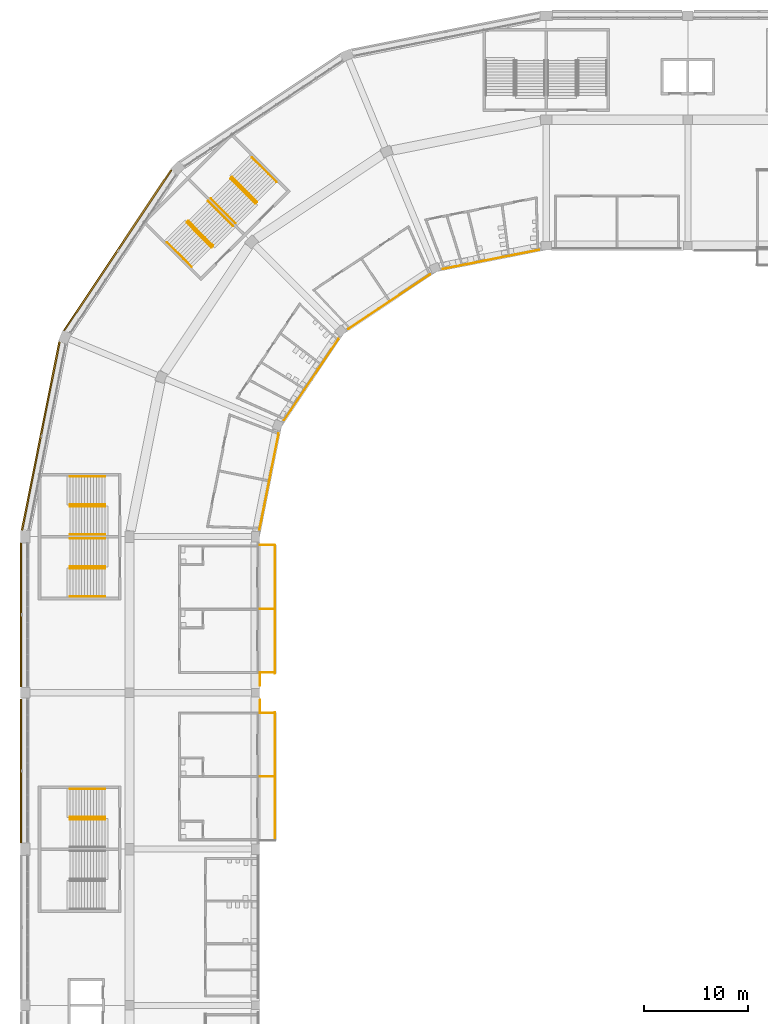
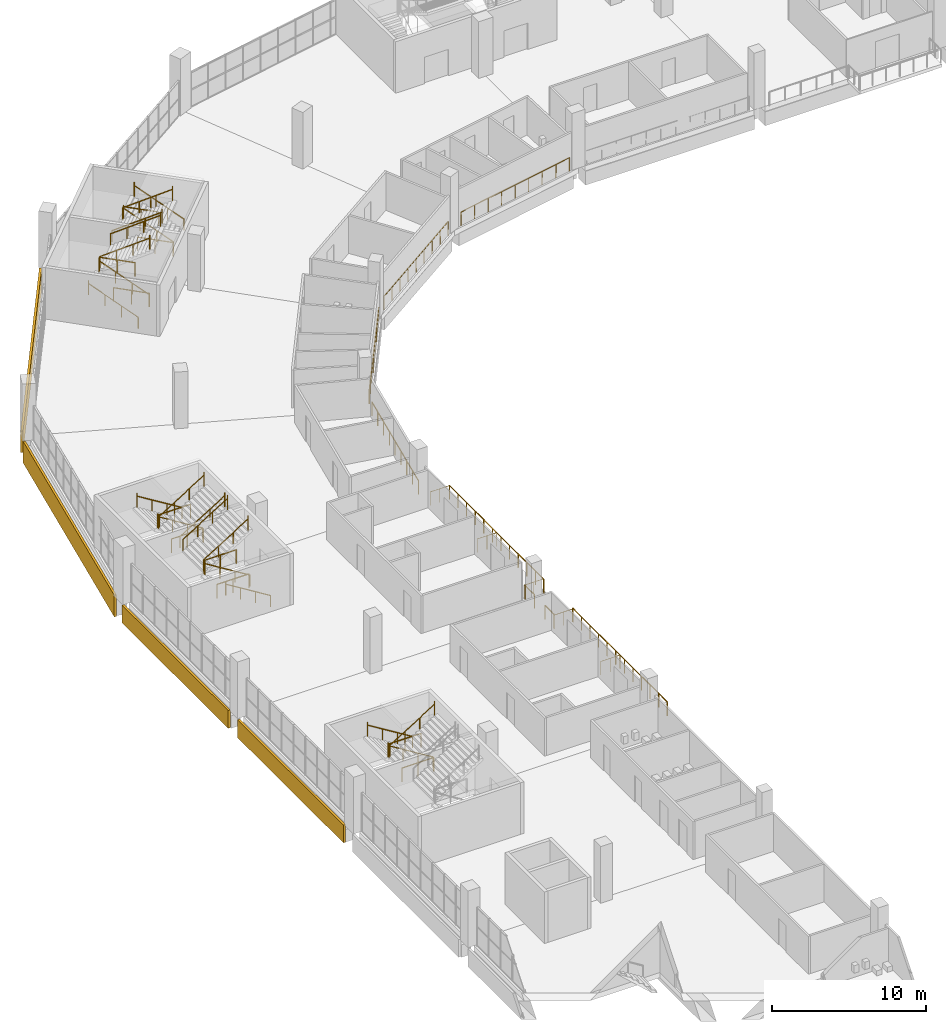
# One storey, part 189 of 199: 42 railings, 4 coverings.
"""IFC4 building model written with IfcOpenShell, lengths in metres."""

import ifcopenshell
import ifcopenshell.guid

model = None  # the IFC model being written
_history = None  # IfcOwnerHistory: only IFC2X3 demands one
_inside = {}  # id of a spatial element -> (the spatial element, [elements in it])
_under = {}  # id of a project, library or spatial element -> (it, [spatial elements below it])
_declared = {}  # id of a project -> (the project, [libraries it declares])
_typed = {}  # id of a type object -> (the type object, [elements of that type])
_made_of = {}  # id of a material, layer set ... -> (it, [elements and type objects made of it])


def new_model(schema):
    """Start an empty IFC model of exactly this schema.

    Asked for "IFC4X3", IfcOpenShell would pick the latest addendum, in which some entities
    have other attributes; the version numbers below select the first issue.
    IFC2X3 requires an IfcOwnerHistory on every rooted entity: one is made here for all.
    """
    global model, _history
    if schema == "IFC4X3":
        model = ifcopenshell.file(schema_version=(4, 3, 0, 0))
    else:
        model = ifcopenshell.file(schema=schema)
    _inside.clear()
    _under.clear()
    _declared.clear()
    _typed.clear()
    _made_of.clear()
    _history = None
    if model.schema == "IFC2X3":
        org = make("IfcOrganization", Name="unknown")
        user = make(
            "IfcPersonAndOrganization",
            ThePerson=make("IfcPerson", FamilyName="unknown"),
            TheOrganization=org,
        )
        app = make(
            "IfcApplication",
            ApplicationDeveloper=org,
            Version="unknown",
            ApplicationFullName="unknown",
            ApplicationIdentifier="unknown",
        )
        _history = make(
            "IfcOwnerHistory",
            OwningUser=user,
            OwningApplication=app,
            ChangeAction="ADDED",
            CreationDate=0,
        )
    return model


def make(cls, **values):
    """One entity of the class cls with the attributes given. An attribute that is None is left unset."""
    return model.create_entity(
        cls, **{name: value for name, value in values.items() if value is not None}
    )


def rooted(cls, **values):
    """An entity with a GlobalId (a new one), such as an element, a storey or a relation."""
    return make(cls, GlobalId=ifcopenshell.guid.new(), OwnerHistory=_history, **values)


def si_unit(unit_type, name, prefix=None):
    """IfcSIUnit, for example si_unit("LENGTHUNIT", "METRE", prefix="MILLI")."""
    return make("IfcSIUnit", UnitType=unit_type, Prefix=prefix, Name=name)


def assignment(units):
    """IfcUnitAssignment: the units of a project."""
    return None if units is None else make("IfcUnitAssignment", Units=units)


def point(xyz):
    """IfcCartesianPoint."""
    return None if xyz is None else make("IfcCartesianPoint", Coordinates=xyz)


def direction(xyz):
    """IfcDirection."""
    return None if xyz is None else make("IfcDirection", DirectionRatios=xyz)


def frame(location, z_axis=None, x_axis=None):
    """IfcAxis2Placement3D, a coordinate frame: its origin and axes. An axis left out is left unset."""
    return make(
        "IfcAxis2Placement3D",
        Location=point(location),
        Axis=direction(z_axis),
        RefDirection=direction(x_axis),
    )


def frame_2d(location, x_axis=None):
    """IfcAxis2Placement2D, a coordinate frame in the plane: its origin and x axis."""
    return make(
        "IfcAxis2Placement2D", Location=point(location), RefDirection=direction(x_axis)
    )


def origin():
    """The frame at (0, 0, 0) with its axes left unset."""
    return frame((0.0, 0.0, 0.0))


def origin_2d():
    """The frame at (0, 0) in the plane with its x axis left unset."""
    return frame_2d((0.0, 0.0))


def place(relative_to, where):
    """IfcLocalPlacement: puts the frame where relative to a parent placement (None: the world)."""
    return make(
        "IfcLocalPlacement", PlacementRelTo=relative_to, RelativePlacement=where
    )


def context(
    kind, dimensions, precision=None, world=None, true_north=None, identifier=None
):
    """IfcGeometricRepresentationContext, for example the 3D "Model" context."""
    return make(
        "IfcGeometricRepresentationContext",
        ContextIdentifier=identifier,
        ContextType=kind,
        CoordinateSpaceDimension=dimensions,
        Precision=precision,
        WorldCoordinateSystem=world,
        TrueNorth=true_north,
    )


def subcontext(parent, identifier, kind, view, scale=None):
    """IfcGeometricRepresentationSubContext, for example "Body" below "Model"."""
    return make(
        "IfcGeometricRepresentationSubContext",
        ContextIdentifier=identifier,
        ContextType=kind,
        ParentContext=parent,
        TargetScale=scale,
        TargetView=view,
    )


def project(units=None, contexts=None):
    """IfcProject with its units and contexts."""
    return rooted(
        "IfcProject",
        Name="project",
        RepresentationContexts=contexts,
        UnitsInContext=assignment(units),
    )


def spatial(cls, under=None, at=None, **own):
    """A site, building, storey or space (cls), placed at a placement, below another one or the project."""
    s = rooted(cls, ObjectPlacement=at, **own)
    if under is not None:
        _under.setdefault(under.id(), (under, []))[1].append(s)
    return s


def polyline(points):
    """IfcPolyline through the points."""
    return make("IfcPolyline", Points=[point(p) for p in points])


def profile(cls, at=None, kind="AREA", **sizes):
    """A parametric profile (cls). Its sizes go by their IFC names, for example OverallWidth=200.0."""
    return make(cls, ProfileType=kind, Position=at, **sizes)


def circle(**sizes):
    """IfcCircleProfileDef."""
    return profile("IfcCircleProfileDef", **sizes)


def outline(outer, holes=None, kind="AREA"):
    """IfcArbitraryClosedProfileDef: a profile drawn as a closed curve; with holes, ...WithVoids."""
    if holes is None:
        return make("IfcArbitraryClosedProfileDef", ProfileType=kind, OuterCurve=outer)
    return make(
        "IfcArbitraryProfileDefWithVoids",
        ProfileType=kind,
        OuterCurve=outer,
        InnerCurves=holes,
    )


def extrude(swept, where, along, depth):
    """IfcExtrudedAreaSolid: the profile swept, set in the frame where, extruded along a direction by depth."""
    return make(
        "IfcExtrudedAreaSolid",
        SweptArea=swept,
        Position=where,
        ExtrudedDirection=direction(along),
        Depth=depth,
    )


def shape(context_of_items, identifier, shape_type, items):
    """IfcShapeRepresentation: the items that make up one representation, for example the "Body"."""
    return make(
        "IfcShapeRepresentation",
        ContextOfItems=context_of_items,
        RepresentationIdentifier=identifier,
        RepresentationType=shape_type,
        Items=items,
    )


def material(Name=None, Category=None):
    """IfcMaterial."""
    return make("IfcMaterial", Name=Name, Category=Category)


def layer(
    of_material, thickness, ventilated=None, Name=None, Category=None, Priority=None
):
    """IfcMaterialLayer: one layer of a wall or slab, of a material (None: an air gap)."""
    return make(
        "IfcMaterialLayer",
        Material=of_material,
        LayerThickness=thickness,
        IsVentilated=ventilated,
        Name=Name,
        Category=Category,
        Priority=Priority,
    )


def layer_set(layers, Name=None):
    """IfcMaterialLayerSet."""
    return make("IfcMaterialLayerSet", MaterialLayers=layers, LayerSetName=Name)


def made_of(thing, what):
    """Note that an element or type object is made of a material, layer set ...; save() writes the relation."""
    if what is not None:
        _made_of.setdefault(what.id(), (what, []))[1].append(thing)
    return thing


def type_object(cls, material=None, **own):
    """A type object (cls), such as IfcWallType, which elements share."""
    return made_of(rooted(cls, **own), material)


def element(
    cls,
    number,
    at=None,
    inside=None,
    cuts=None,
    type_object=None,
    material=None,
    context=None,
    identifier="Body",
    shape_type=None,
    held_by="IfcProductDefinitionShape",
    body=None,
    shapes=None,
    **own,
):
    """One element of the class cls, such as IfcWall. Its Tag is "e" and its number.

    at: its placement. inside: the storey or other place that contains it. cuts: it is an
    opening in that element (IfcRelVoidsElement). A single representation is given by context,
    identifier, shape_type and body (its items); several are given by shapes. held_by: the class
    of the entity that holds the representations. save() writes the other relations.
    """
    e = rooted(cls, Tag="e%d" % number, ObjectPlacement=at, **own)
    if body is not None:
        shapes = [shape(context, identifier, shape_type, body)]
    if shapes is not None:
        e.Representation = make(held_by, Representations=shapes)
    if inside is not None:
        _inside.setdefault(inside.id(), (inside, []))[1].append(e)
    if cuts is not None:
        rooted(
            "IfcRelVoidsElement", RelatingBuildingElement=cuts, RelatedOpeningElement=e
        )
    if type_object is not None:
        _typed.setdefault(type_object.id(), (type_object, []))[1].append(e)
    return made_of(e, material)


def aggregate(whole, parts):
    """IfcRelAggregates: a whole, such as a stair, and the parts it consists of."""
    return rooted("IfcRelAggregates", RelatingObject=whole, RelatedObjects=parts)


def save(model, path):
    """Write the relations noted so far, then the file.

    IfcRelAggregates (storeys below a building ...), IfcRelContainedInSpatialStructure (elements
    in a storey), IfcRelDefinesByType, IfcRelAssociatesMaterial and IfcRelDeclares: one each for
    every whole, place, type object, material and project.
    """
    for whole, parts in _under.values():
        aggregate(whole, parts)
    for where, things in _inside.values():
        rooted(
            "IfcRelContainedInSpatialStructure",
            RelatedElements=things,
            RelatingStructure=where,
        )
    for kind, things in _typed.values():
        rooted("IfcRelDefinesByType", RelatedObjects=things, RelatingType=kind)
    for what, things in _made_of.values():
        rooted("IfcRelAssociatesMaterial", RelatedObjects=things, RelatingMaterial=what)
    for by, libraries in _declared.values():
        rooted("IfcRelDeclares", RelatingContext=by, RelatedDefinitions=libraries)
    model.write(path)


model = new_model("IFC4")

# Units and contexts
model_context = context("Model", 3, precision=1e-05, world=origin(), true_north=direction((0.0, 1.0)))
body_context = subcontext(model_context, "Body", "Model", "MODEL_VIEW")
ifc_project = project(units=[si_unit("LENGTHUNIT", "METRE"), si_unit("AREAUNIT", "SQUARE_METRE"), si_unit("VOLUMEUNIT", "CUBIC_METRE"), si_unit("PLANEANGLEUNIT", "RADIAN"), si_unit("MASSUNIT", "GRAM", prefix="KILO")], contexts=[model_context])

# Site, building, storey
site_placement = place(None, origin())
site = spatial("IfcSite", under=ifc_project, at=site_placement, CompositionType="ELEMENT")
building_placement = place(site_placement, origin())
building = spatial("IfcBuilding", under=site, at=building_placement, Name="Ogive Plaza Stadium", CompositionType="ELEMENT")
storey_placement = place(building_placement, frame((0.0, 0.0, 9.0)))
storey = spatial("IfcBuildingStorey", under=building, at=storey_placement, Name="L02", CompositionType="ELEMENT", Elevation=9.0)

# Railings
ifc_material_1 = material(Name="Steel ASTM A572 Grade 50", Category="steel")
railing_type_1 = type_object("IfcRailingType", Name="Guard 1100", PredefinedType="GUARDRAIL", material=ifc_material_1)
for number, where, name in (
    (1, (-76.35009765625, 25.47509765625, 0.0), "Stair well guard ST26A L02"),
    (2, (-77.31005859375, 25.47509765625, 2.25), "Stair well guard ST26A L02"),
    (3, (-76.35009765625, 55.47509765625, 0.0), "Stair well guard ST28A L02"),
    (4, (-77.31005859375, 55.47509765625, 2.25), "Stair well guard ST28A L02"),
    (5, (-76.35009765625, 49.52490234375, 0.0), "Stair well guard ST28B L02"),
    (6, (-77.31005859375, 49.52490234375, 2.25), "Stair well guard ST28B L02"),
):
    element("IfcRailing", number, at=place(storey_placement, frame(where)), inside=storey, type_object=railing_type_1, Name=name, PredefinedType="GUARDRAIL", context=body_context, shape_type="SweptSolid", body=[
        extrude(circle(Radius=0.02392578125, at=origin_2d()), frame((0.0, 0.0, 1.076171875), z_axis=(-1.0, 0.0, 0.0), x_axis=(0.0, -1.0, 0.0)), (0.0, 0.0, 1.0), 2.39990234375),
        extrude(circle(Radius=0.02099609375, at=origin_2d()), origin(), (0.0, 0.0, 1.0), 1.052001953125),
        extrude(circle(Radius=0.02099609375, at=origin_2d()), frame((-1.199951171875, 0.0, 0.0)), (0.0, 0.0, 1.0), 1.052001953125),
        extrude(circle(Radius=0.02099609375, at=origin_2d()), frame((-2.39990234375, 0.0, 0.0)), (0.0, 0.0, 1.0), 1.052001953125),
    ])
for number, where, name in (
    (7, (-61.84228515625, 84.549560546875, 0.0), "Stair well guard ST30A L02"),
    (8, (-62.521240234375, 85.228515625, 2.25), "Stair well guard ST30A L02"),
    (9, (-66.049560546875, 80.34228515625, 0.0), "Stair well guard ST30B L02"),
    (10, (-66.728515625, 81.021240234375, 2.25), "Stair well guard ST30B L02"),
):
    element("IfcRailing", number, at=place(storey_placement, frame(where)), inside=storey, type_object=railing_type_1, Name=name, PredefinedType="GUARDRAIL", context=body_context, shape_type="SweptSolid", body=[
        extrude(circle(Radius=0.02392578125, at=origin_2d()), frame((0.0, 0.0, 1.076171875), z_axis=(-0.707106781187, 0.707106781187, 0.0), x_axis=(-0.707106781187, -0.707106781187, 0.0)), (0.0, 0.0, 1.0), 2.39990234375),
        extrude(circle(Radius=0.02099609375, at=origin_2d()), origin(), (0.0, 0.0, 1.0), 1.052001953125),
        extrude(circle(Radius=0.02099609375, at=origin_2d()), frame((-0.8486328125, 0.8486328125, 0.0)), (0.0, 0.0, 1.0), 1.052001953125),
        extrude(circle(Radius=0.02099609375, at=origin_2d()), frame((-1.697021484375, 1.697021484375, 0.0)), (0.0, 0.0, 1.0), 1.052001953125),
    ])
railing_1_placement = place(storey_placement, frame((-61.513427734375, 53.1865234375, 0.0)))
element("IfcRailing", 11, at=railing_1_placement, inside=storey, type_object=railing_type_1, Name="Guard L02 B28", PredefinedType="GUARDRAIL", context=body_context, shape_type="SweptSolid", body=[
    extrude(circle(Radius=0.02392578125, at=origin_2d()), frame((0.0, 0.0, 1.076171875), z_axis=(0.19508584817, 0.980786170296, 0.0), x_axis=(-0.980786170296, 0.19508584817, 0.0)), (0.0, 0.0, 1.0), 9.388427734375),
    extrude(circle(Radius=0.02099609375, at=origin_2d()), origin(), (0.0, 0.0, 1.0), 1.052001953125),
    extrude(circle(Radius=0.02099609375, at=origin_2d()), frame((0.22900390625, 1.15087890625, 0.0)), (0.0, 0.0, 1.0), 1.052001953125),
    extrude(circle(Radius=0.02099609375, at=origin_2d()), frame((0.4580078125, 2.302001953125, 0.0)), (0.0, 0.0, 1.0), 1.052001953125),
    extrude(circle(Radius=0.02099609375, at=origin_2d()), frame((0.686767578125, 3.453125, 0.0)), (0.0, 0.0, 1.0), 1.052001953125),
    extrude(circle(Radius=0.02099609375, at=origin_2d()), frame((0.915771484375, 4.60400390625, 0.0)), (0.0, 0.0, 1.0), 1.052001953125),
    extrude(circle(Radius=0.02099609375, at=origin_2d()), frame((1.144775390625, 5.7548828125, 0.0)), (0.0, 0.0, 1.0), 1.052001953125),
    extrude(circle(Radius=0.02099609375, at=origin_2d()), frame((1.37353515625, 6.906005859375, 0.0)), (0.0, 0.0, 1.0), 1.052001953125),
    extrude(circle(Radius=0.02099609375, at=origin_2d()), frame((1.6025390625, 8.05712890625, 0.0)), (0.0, 0.0, 1.0), 1.052001953125),
    extrude(circle(Radius=0.02099609375, at=origin_2d()), frame((1.83154296875, 9.2080078125, 0.0)), (0.0, 0.0, 1.0), 1.052001953125),
])
railing_2_placement = place(storey_placement, frame((-59.15625, 63.663330078125, 0.0)))
element("IfcRailing", 12, at=railing_2_placement, inside=storey, type_object=railing_type_1, Name="Guard L02 B29", PredefinedType="GUARDRAIL", context=body_context, shape_type="SweptSolid", body=[
    extrude(circle(Radius=0.02392578125, at=origin_2d()), frame((0.0, 0.0, 1.076171875), z_axis=(0.555564052686, 0.831473741836, 0.0), x_axis=(-0.831473741836, 0.555564052686, 0.0)), (0.0, 0.0, 1.0), 9.388427734375),
    extrude(circle(Radius=0.02099609375, at=origin_2d()), origin(), (0.0, 0.0, 1.0), 1.052001953125),
    extrude(circle(Radius=0.02099609375, at=origin_2d()), frame((0.65185546875, 0.975830078125, 0.0)), (0.0, 0.0, 1.0), 1.052001953125),
    extrude(circle(Radius=0.02099609375, at=origin_2d()), frame((1.303955078125, 1.95166015625, 0.0)), (0.0, 0.0, 1.0), 1.052001953125),
    extrude(circle(Radius=0.02099609375, at=origin_2d()), frame((1.9560546875, 2.92724609375, 0.0)), (0.0, 0.0, 1.0), 1.052001953125),
    extrude(circle(Radius=0.02099609375, at=origin_2d()), frame((2.60791015625, 3.903076171875, 0.0)), (0.0, 0.0, 1.0), 1.052001953125),
    extrude(circle(Radius=0.02099609375, at=origin_2d()), frame((3.259765625, 4.87890625, 0.0)), (0.0, 0.0, 1.0), 1.052001953125),
    extrude(circle(Radius=0.02099609375, at=origin_2d()), frame((3.911865234375, 5.8544921875, 0.0)), (0.0, 0.0, 1.0), 1.052001953125),
    extrude(circle(Radius=0.02099609375, at=origin_2d()), frame((4.56396484375, 6.830322265625, 0.0)), (0.0, 0.0, 1.0), 1.052001953125),
    extrude(circle(Radius=0.02099609375, at=origin_2d()), frame((5.2158203125, 7.80615234375, 0.0)), (0.0, 0.0, 1.0), 1.052001953125),
])
railing_3_placement = place(storey_placement, frame((-52.969482421875, 72.4404296875, 0.0)))
element("IfcRailing", 13, at=railing_3_placement, inside=storey, type_object=railing_type_1, Name="Guard L02 B30", PredefinedType="GUARDRAIL", context=body_context, shape_type="SweptSolid", body=[
    extrude(circle(Radius=0.02392578125, at=origin_2d()), frame((0.0, 0.0, 1.076171875), z_axis=(0.831473741836, 0.555564052686, 0.0), x_axis=(-0.555564052686, 0.831473741836, 0.0)), (0.0, 0.0, 1.0), 9.388427734375),
    extrude(circle(Radius=0.02099609375, at=origin_2d()), origin(), (0.0, 0.0, 1.0), 1.052001953125),
    extrude(circle(Radius=0.02099609375, at=origin_2d()), frame((0.975830078125, 0.65185546875, 0.0)), (0.0, 0.0, 1.0), 1.052001953125),
    extrude(circle(Radius=0.02099609375, at=origin_2d()), frame((1.95166015625, 1.303955078125, 0.0)), (0.0, 0.0, 1.0), 1.052001953125),
    extrude(circle(Radius=0.02099609375, at=origin_2d()), frame((2.92724609375, 1.9560546875, 0.0)), (0.0, 0.0, 1.0), 1.052001953125),
    extrude(circle(Radius=0.02099609375, at=origin_2d()), frame((3.903076171875, 2.60791015625, 0.0)), (0.0, 0.0, 1.0), 1.052001953125),
    extrude(circle(Radius=0.02099609375, at=origin_2d()), frame((4.87890625, 3.259765625, 0.0)), (0.0, 0.0, 1.0), 1.052001953125),
    extrude(circle(Radius=0.02099609375, at=origin_2d()), frame((5.8544921875, 3.911865234375, 0.0)), (0.0, 0.0, 1.0), 1.052001953125),
    extrude(circle(Radius=0.02099609375, at=origin_2d()), frame((6.830322265625, 4.56396484375, 0.0)), (0.0, 0.0, 1.0), 1.052001953125),
    extrude(circle(Radius=0.02099609375, at=origin_2d()), frame((7.80615234375, 5.2158203125, 0.0)), (0.0, 0.0, 1.0), 1.052001953125),
])
railing_4_placement = place(storey_placement, frame((-43.89453125, 78.181884765625, 0.0)))
element("IfcRailing", 14, at=railing_4_placement, inside=storey, type_object=railing_type_1, Name="Guard L02 B31", PredefinedType="GUARDRAIL", context=body_context, shape_type="SweptSolid", body=[
    extrude(circle(Radius=0.02392578125, at=origin_2d()), frame((0.0, 0.0, 1.076171875), z_axis=(0.980786170296, 0.19508584817, 0.0), x_axis=(-0.19508584817, 0.980786170296, 0.0)), (0.0, 0.0, 1.0), 9.388427734375),
    extrude(circle(Radius=0.02099609375, at=origin_2d()), origin(), (0.0, 0.0, 1.0), 1.052001953125),
    extrude(circle(Radius=0.02099609375, at=origin_2d()), frame((1.15087890625, 0.22900390625, 0.0)), (0.0, 0.0, 1.0), 1.052001953125),
    extrude(circle(Radius=0.02099609375, at=origin_2d()), frame((2.302001953125, 0.4580078125, 0.0)), (0.0, 0.0, 1.0), 1.052001953125),
    extrude(circle(Radius=0.02099609375, at=origin_2d()), frame((3.453125, 0.686767578125, 0.0)), (0.0, 0.0, 1.0), 1.052001953125),
    extrude(circle(Radius=0.02099609375, at=origin_2d()), frame((4.60400390625, 0.915771484375, 0.0)), (0.0, 0.0, 1.0), 1.052001953125),
    extrude(circle(Radius=0.02099609375, at=origin_2d()), frame((5.7548828125, 1.144775390625, 0.0)), (0.0, 0.0, 1.0), 1.052001953125),
    extrude(circle(Radius=0.02099609375, at=origin_2d()), frame((6.906005859375, 1.37353515625, 0.0)), (0.0, 0.0, 1.0), 1.052001953125),
    extrude(circle(Radius=0.02099609375, at=origin_2d()), frame((8.05712890625, 1.6025390625, 0.0)), (0.0, 0.0, 1.0), 1.052001953125),
    extrude(circle(Radius=0.02099609375, at=origin_2d()), frame((9.2080078125, 1.83154296875, 0.0)), (0.0, 0.0, 1.0), 1.052001953125),
])
railing_5_placement = place(storey_placement, frame((-60.050048828125, 23.324951171875, 0.0)))
element("IfcRailing", 15, at=railing_5_placement, inside=storey, type_object=railing_type_1, Name="Terrace guard B26", PredefinedType="GUARDRAIL", context=body_context, shape_type="SweptSolid", body=[
    extrude(circle(Radius=0.02392578125, at=origin_2d()), frame((0.0, 0.0, 1.076171875), z_axis=(0.0, 1.0, 0.0), x_axis=(-1.0, 0.0, 0.0)), (0.0, 0.0, 1.0), 12.300048828125),
    extrude(circle(Radius=0.02099609375, at=origin_2d()), origin(), (0.0, 0.0, 1.0), 1.052001953125),
    extrude(circle(Radius=0.02099609375, at=origin_2d()), frame((0.0, 1.1181640625, 0.0)), (0.0, 0.0, 1.0), 1.052001953125),
    extrude(circle(Radius=0.02099609375, at=origin_2d()), frame((0.0, 2.236328125, 0.0)), (0.0, 0.0, 1.0), 1.052001953125),
    extrude(circle(Radius=0.02099609375, at=origin_2d()), frame((0.0, 3.3544921875, 0.0)), (0.0, 0.0, 1.0), 1.052001953125),
    extrude(circle(Radius=0.02099609375, at=origin_2d()), frame((0.0, 4.47265625, 0.0)), (0.0, 0.0, 1.0), 1.052001953125),
    extrude(circle(Radius=0.02099609375, at=origin_2d()), frame((0.0, 5.5908203125, 0.0)), (0.0, 0.0, 1.0), 1.052001953125),
    extrude(circle(Radius=0.02099609375, at=origin_2d()), frame((0.0, 6.709228515625, 0.0)), (0.0, 0.0, 1.0), 1.052001953125),
    extrude(circle(Radius=0.02099609375, at=origin_2d()), frame((0.0, 7.827392578125, 0.0)), (0.0, 0.0, 1.0), 1.052001953125),
    extrude(circle(Radius=0.02099609375, at=origin_2d()), frame((0.0, 8.945556640625, 0.0)), (0.0, 0.0, 1.0), 1.052001953125),
    extrude(circle(Radius=0.02099609375, at=origin_2d()), frame((0.0, 10.063720703125, 0.0)), (0.0, 0.0, 1.0), 1.052001953125),
    extrude(circle(Radius=0.02099609375, at=origin_2d()), frame((0.0, 11.181884765625, 0.0)), (0.0, 0.0, 1.0), 1.052001953125),
    extrude(circle(Radius=0.02099609375, at=origin_2d()), frame((0.0, 12.300048828125, 0.0)), (0.0, 0.0, 1.0), 1.052001953125),
])
railing_6_placement = place(storey_placement, frame((-61.449951171875, 35.625, 0.0)))
element("IfcRailing", 16, at=railing_6_placement, inside=storey, type_object=railing_type_1, Name="Floor edge guard B26", PredefinedType="GUARDRAIL", context=body_context, shape_type="SweptSolid", body=[
    extrude(circle(Radius=0.02392578125, at=origin_2d()), frame((0.0, 0.0, 1.076171875), z_axis=(0.0, 1.0, 0.0), x_axis=(-1.0, 0.0, 0.0)), (0.0, 0.0, 1.0), 1.175048828125),
    extrude(circle(Radius=0.02099609375, at=origin_2d()), origin(), (0.0, 0.0, 1.0), 1.052001953125),
    extrude(circle(Radius=0.02099609375, at=origin_2d()), frame((0.0, 1.175048828125, 0.0)), (0.0, 0.0, 1.0), 1.052001953125),
])
for number, where, name in (
    (17, (-60.050048828125, 29.47509765625, 0.0), "Terrace screen B26"),
    (18, (-60.050048828125, 35.550048828125, 0.0), "Terrace screen B26"),
):
    element("IfcRailing", number, at=place(storey_placement, frame(where)), inside=storey, type_object=railing_type_1, Name=name, PredefinedType="GUARDRAIL", context=body_context, shape_type="SweptSolid", body=[
        extrude(circle(Radius=0.02392578125, at=origin_2d()), frame((0.0, 0.0, 1.076171875), z_axis=(-1.0, 0.0, 0.0), x_axis=(0.0, -1.0, 0.0)), (0.0, 0.0, 1.0), 1.449951171875),
        extrude(circle(Radius=0.02099609375, at=origin_2d()), origin(), (0.0, 0.0, 1.0), 1.052001953125),
        extrude(circle(Radius=0.02099609375, at=origin_2d()), frame((-0.72509765625, 0.0, 0.0)), (0.0, 0.0, 1.0), 1.052001953125),
        extrude(circle(Radius=0.02099609375, at=origin_2d()), frame((-1.449951171875, 0.0, 0.0)), (0.0, 0.0, 1.0), 1.052001953125),
    ])
railing_7_placement = place(storey_placement, frame((-60.050048828125, 51.675048828125, 0.0)))
element("IfcRailing", 19, at=railing_7_placement, inside=storey, type_object=railing_type_1, Name="Terrace guard B27", PredefinedType="GUARDRAIL", context=body_context, shape_type="SweptSolid", body=[
    extrude(circle(Radius=0.02392578125, at=origin_2d()), frame((0.0, 0.0, 1.076171875), z_axis=(0.0, -1.0, 0.0), x_axis=(1.0, 0.0, 0.0)), (0.0, 0.0, 1.0), 12.300048828125),
    extrude(circle(Radius=0.02099609375, at=origin_2d()), origin(), (0.0, 0.0, 1.0), 1.052001953125),
    extrude(circle(Radius=0.02099609375, at=origin_2d()), frame((0.0, -1.1181640625, 0.0)), (0.0, 0.0, 1.0), 1.052001953125),
    extrude(circle(Radius=0.02099609375, at=origin_2d()), frame((0.0, -2.236328125, 0.0)), (0.0, 0.0, 1.0), 1.052001953125),
    extrude(circle(Radius=0.02099609375, at=origin_2d()), frame((0.0, -3.3544921875, 0.0)), (0.0, 0.0, 1.0), 1.052001953125),
    extrude(circle(Radius=0.02099609375, at=origin_2d()), frame((0.0, -4.47265625, 0.0)), (0.0, 0.0, 1.0), 1.052001953125),
    extrude(circle(Radius=0.02099609375, at=origin_2d()), frame((0.0, -5.5908203125, 0.0)), (0.0, 0.0, 1.0), 1.052001953125),
    extrude(circle(Radius=0.02099609375, at=origin_2d()), frame((0.0, -6.709228515625, 0.0)), (0.0, 0.0, 1.0), 1.052001953125),
    extrude(circle(Radius=0.02099609375, at=origin_2d()), frame((0.0, -7.827392578125, 0.0)), (0.0, 0.0, 1.0), 1.052001953125),
    extrude(circle(Radius=0.02099609375, at=origin_2d()), frame((0.0, -8.945556640625, 0.0)), (0.0, 0.0, 1.0), 1.052001953125),
    extrude(circle(Radius=0.02099609375, at=origin_2d()), frame((0.0, -10.063720703125, 0.0)), (0.0, 0.0, 1.0), 1.052001953125),
    extrude(circle(Radius=0.02099609375, at=origin_2d()), frame((0.0, -11.181884765625, 0.0)), (0.0, 0.0, 1.0), 1.052001953125),
    extrude(circle(Radius=0.02099609375, at=origin_2d()), frame((0.0, -12.300048828125, 0.0)), (0.0, 0.0, 1.0), 1.052001953125),
])
railing_8_placement = place(storey_placement, frame((-61.449951171875, 39.375, 0.0)))
element("IfcRailing", 20, at=railing_8_placement, inside=storey, type_object=railing_type_1, Name="Floor edge guard B27", PredefinedType="GUARDRAIL", context=body_context, shape_type="SweptSolid", body=[
    extrude(circle(Radius=0.02392578125, at=origin_2d()), frame((0.0, 0.0, 1.076171875), z_axis=(0.0, -1.0, 0.0), x_axis=(1.0, 0.0, 0.0)), (0.0, 0.0, 1.0), 1.175048828125),
    extrude(circle(Radius=0.02099609375, at=origin_2d()), origin(), (0.0, 0.0, 1.0), 1.052001953125),
    extrude(circle(Radius=0.02099609375, at=origin_2d()), frame((0.0, -1.175048828125, 0.0)), (0.0, 0.0, 1.0), 1.052001953125),
])
for number, where, name in (
    (21, (-60.050048828125, 51.675048828125, 0.0), "Terrace screen B27"),
    (22, (-60.050048828125, 45.52490234375, 0.0), "Terrace screen B27"),
    (23, (-60.050048828125, 39.449951171875, 0.0), "Terrace screen B27"),
):
    element("IfcRailing", number, at=place(storey_placement, frame(where)), inside=storey, type_object=railing_type_1, Name=name, PredefinedType="GUARDRAIL", context=body_context, shape_type="SweptSolid", body=[
        extrude(circle(Radius=0.02392578125, at=origin_2d()), frame((0.0, 0.0, 1.076171875), z_axis=(-1.0, 0.0, 0.0), x_axis=(0.0, -1.0, 0.0)), (0.0, 0.0, 1.0), 1.449951171875),
        extrude(circle(Radius=0.02099609375, at=origin_2d()), origin(), (0.0, 0.0, 1.0), 1.052001953125),
        extrude(circle(Radius=0.02099609375, at=origin_2d()), frame((-0.72509765625, 0.0, 0.0)), (0.0, 0.0, 1.0), 1.052001953125),
        extrude(circle(Radius=0.02099609375, at=origin_2d()), frame((-1.449951171875, 0.0, 0.0)), (0.0, 0.0, 1.0), 1.052001953125),
    ])
ifc_material_2 = material(Name="Steel ASTM A572 Grade 50", Category="steel")
railing_type_2 = type_object("IfcRailingType", Name="Handrail 900", PredefinedType="HANDRAIL", material=ifc_material_2)
for number, where, name in (
    (24, (-76.35009765625, 28.264892578125, 0.173095703125), "Handrail ST26A L02"),
    (25, (-76.35009765625, 25.5849609375, 0.173095703125), "Handrail ST26A L02"),
):
    element("IfcRailing", number, at=place(storey_placement, frame(where)), inside=storey, type_object=railing_type_2, Name=name, PredefinedType="HANDRAIL", context=body_context, shape_type="SweptSolid", body=[
        extrude(circle(Radius=0.02392578125, at=origin_2d()), frame((0.0, 0.0, 0.8759765625), z_axis=(-0.850606129759, 0.0, 0.525803396734), x_axis=(0.0, -1.0, 0.0)), (0.0, 0.0, 1.0), 3.949951171875),
        extrude(circle(Radius=0.02099609375, at=origin_2d()), origin(), (0.0, 0.0, 1.0), 0.851806640625),
        extrude(circle(Radius=0.02099609375, at=origin_2d()), frame((-1.119873046875, 0.0, 0.6923828125)), (0.0, 0.0, 1.0), 0.851806640625),
        extrude(circle(Radius=0.02099609375, at=origin_2d()), frame((-2.239990234375, 0.0, 1.384521484375)), (0.0, 0.0, 1.0), 0.851806640625),
        extrude(circle(Radius=0.02099609375, at=origin_2d()), frame((-3.35986328125, 0.0, 2.076904296875)), (0.0, 0.0, 1.0), 1.10009765625),
    ])
railing_9_placement = place(storey_placement, frame((-79.7099609375, 25.364990234375, 2.423095703125)))
element("IfcRailing", 26, at=railing_9_placement, inside=storey, type_object=railing_type_2, Name="Handrail ST26A L02", PredefinedType="HANDRAIL", context=body_context, shape_type="SweptSolid", body=[
    extrude(circle(Radius=0.02392578125, at=origin_2d()), frame((0.0, 0.0, 0.8759765625), z_axis=(0.850606129759, 0.0, 0.525803396734), x_axis=(0.0, 1.0, 0.0)), (0.0, 0.0, 1.0), 3.949951171875),
    extrude(circle(Radius=0.02099609375, at=origin_2d()), origin(), (0.0, 0.0, 1.0), 0.851806640625),
    extrude(circle(Radius=0.02099609375, at=origin_2d()), frame((1.119873046875, 0.0, 0.6923828125)), (0.0, 0.0, 1.0), 0.851806640625),
    extrude(circle(Radius=0.02099609375, at=origin_2d()), frame((2.239990234375, 0.0, 1.384521484375)), (0.0, 0.0, 1.0), 0.851806640625),
    extrude(circle(Radius=0.02099609375, at=origin_2d()), frame((3.35986328125, 0.0, 2.076904296875)), (0.0, 0.0, 1.0), 1.10009765625),
])
for number, where, name in (
    (27, (-76.35009765625, 58.264892578125, 0.173095703125), "Handrail ST28A L02"),
    (28, (-76.35009765625, 55.5849609375, 0.173095703125), "Handrail ST28A L02"),
):
    element("IfcRailing", number, at=place(storey_placement, frame(where)), inside=storey, type_object=railing_type_2, Name=name, PredefinedType="HANDRAIL", context=body_context, shape_type="SweptSolid", body=[
        extrude(circle(Radius=0.02392578125, at=origin_2d()), frame((0.0, 0.0, 0.8759765625), z_axis=(-0.850606129759, 0.0, 0.525803396734), x_axis=(0.0, -1.0, 0.0)), (0.0, 0.0, 1.0), 3.949951171875),
        extrude(circle(Radius=0.02099609375, at=origin_2d()), origin(), (0.0, 0.0, 1.0), 0.851806640625),
        extrude(circle(Radius=0.02099609375, at=origin_2d()), frame((-1.119873046875, 0.0, 0.6923828125)), (0.0, 0.0, 1.0), 0.851806640625),
        extrude(circle(Radius=0.02099609375, at=origin_2d()), frame((-2.239990234375, 0.0, 1.384521484375)), (0.0, 0.0, 1.0), 0.851806640625),
        extrude(circle(Radius=0.02099609375, at=origin_2d()), frame((-3.35986328125, 0.0, 2.076904296875)), (0.0, 0.0, 1.0), 1.10009765625),
    ])
for number, where, name in (
    (29, (-79.7099609375, 55.364990234375, 2.423095703125), "Handrail ST28A L02"),
    (30, (-79.7099609375, 52.68505859375, 2.423095703125), "Handrail ST28A L02"),
):
    element("IfcRailing", number, at=place(storey_placement, frame(where)), inside=storey, type_object=railing_type_2, Name=name, PredefinedType="HANDRAIL", context=body_context, shape_type="SweptSolid", body=[
        extrude(circle(Radius=0.02392578125, at=origin_2d()), frame((0.0, 0.0, 0.8759765625), z_axis=(0.850606129759, 0.0, 0.525803396734), x_axis=(0.0, 1.0, 0.0)), (0.0, 0.0, 1.0), 3.949951171875),
        extrude(circle(Radius=0.02099609375, at=origin_2d()), origin(), (0.0, 0.0, 1.0), 0.851806640625),
        extrude(circle(Radius=0.02099609375, at=origin_2d()), frame((1.119873046875, 0.0, 0.6923828125)), (0.0, 0.0, 1.0), 0.851806640625),
        extrude(circle(Radius=0.02099609375, at=origin_2d()), frame((2.239990234375, 0.0, 1.384521484375)), (0.0, 0.0, 1.0), 0.851806640625),
        extrude(circle(Radius=0.02099609375, at=origin_2d()), frame((3.35986328125, 0.0, 2.076904296875)), (0.0, 0.0, 1.0), 1.10009765625),
    ])
for number, where, name in (
    (31, (-76.35009765625, 49.4150390625, 0.173095703125), "Handrail ST28B L02"),
    (32, (-76.35009765625, 46.735107421875, 0.173095703125), "Handrail ST28B L02"),
):
    element("IfcRailing", number, at=place(storey_placement, frame(where)), inside=storey, type_object=railing_type_2, Name=name, PredefinedType="HANDRAIL", context=body_context, shape_type="SweptSolid", body=[
        extrude(circle(Radius=0.02392578125, at=origin_2d()), frame((0.0, 0.0, 0.8759765625), z_axis=(-0.850606129759, 0.0, 0.525803396734), x_axis=(0.0, -1.0, 0.0)), (0.0, 0.0, 1.0), 3.949951171875),
        extrude(circle(Radius=0.02099609375, at=origin_2d()), origin(), (0.0, 0.0, 1.0), 0.851806640625),
        extrude(circle(Radius=0.02099609375, at=origin_2d()), frame((-1.119873046875, 0.0, 0.6923828125)), (0.0, 0.0, 1.0), 0.851806640625),
        extrude(circle(Radius=0.02099609375, at=origin_2d()), frame((-2.239990234375, 0.0, 1.384521484375)), (0.0, 0.0, 1.0), 0.851806640625),
        extrude(circle(Radius=0.02099609375, at=origin_2d()), frame((-3.35986328125, 0.0, 2.076904296875)), (0.0, 0.0, 1.0), 1.10009765625),
    ])
for number, where, name in (
    (33, (-79.7099609375, 52.31494140625, 2.423095703125), "Handrail ST28B L02"),
    (34, (-79.7099609375, 49.635009765625, 2.423095703125), "Handrail ST28B L02"),
):
    element("IfcRailing", number, at=place(storey_placement, frame(where)), inside=storey, type_object=railing_type_2, Name=name, PredefinedType="HANDRAIL", context=body_context, shape_type="SweptSolid", body=[
        extrude(circle(Radius=0.02392578125, at=origin_2d()), frame((0.0, 0.0, 0.8759765625), z_axis=(0.850606129759, 0.0, 0.525803396734), x_axis=(0.0, 1.0, 0.0)), (0.0, 0.0, 1.0), 3.949951171875),
        extrude(circle(Radius=0.02099609375, at=origin_2d()), origin(), (0.0, 0.0, 1.0), 0.851806640625),
        extrude(circle(Radius=0.02099609375, at=origin_2d()), frame((1.119873046875, 0.0, 0.6923828125)), (0.0, 0.0, 1.0), 0.851806640625),
        extrude(circle(Radius=0.02099609375, at=origin_2d()), frame((2.239990234375, 0.0, 1.384521484375)), (0.0, 0.0, 1.0), 0.851806640625),
        extrude(circle(Radius=0.02099609375, at=origin_2d()), frame((3.35986328125, 0.0, 2.076904296875)), (0.0, 0.0, 1.0), 1.10009765625),
    ])
railing_10_placement = place(storey_placement, frame((-59.869384765625, 86.5224609375, 0.173095703125)))
element("IfcRailing", 35, at=railing_10_placement, inside=storey, type_object=railing_type_2, Name="Handrail ST30A L02", PredefinedType="HANDRAIL", context=body_context, shape_type="SweptSolid", body=[
    extrude(circle(Radius=0.02392578125, at=origin_2d()), frame((0.0, 0.0, 0.8759765625), z_axis=(-0.601482971545, 0.601482971545, 0.525772260474), x_axis=(-0.707106781187, -0.707106781187, 0.0)), (0.0, 0.0, 1.0), 3.9501953125),
    extrude(circle(Radius=0.02099609375, at=origin_2d()), origin(), (0.0, 0.0, 1.0), 0.851806640625),
    extrude(circle(Radius=0.02099609375, at=origin_2d()), frame((-0.7919921875, 0.7919921875, 0.6923828125)), (0.0, 0.0, 1.0), 0.851806640625),
    extrude(circle(Radius=0.02099609375, at=origin_2d()), frame((-1.583984375, 1.583984375, 1.384521484375)), (0.0, 0.0, 1.0), 0.851806640625),
    extrude(circle(Radius=0.02099609375, at=origin_2d()), frame((-2.3759765625, 2.3759765625, 2.076904296875)), (0.0, 0.0, 1.0), 1.10009765625),
])
railing_11_placement = place(storey_placement, frame((-61.7646484375, 84.62744140625, 0.173095703125)))
element("IfcRailing", 36, at=railing_11_placement, inside=storey, type_object=railing_type_2, Name="Handrail ST30A L02", PredefinedType="HANDRAIL", context=body_context, shape_type="SweptSolid", body=[
    extrude(circle(Radius=0.02392578125, at=origin_2d()), frame((0.0, 0.0, 0.8759765625), z_axis=(-0.601465884576, 0.601465884576, 0.525811353416), x_axis=(-0.707106781187, -0.707106781187, 0.0)), (0.0, 0.0, 1.0), 3.949951171875),
    extrude(circle(Radius=0.02099609375, at=origin_2d()), origin(), (0.0, 0.0, 1.0), 0.851806640625),
    extrude(circle(Radius=0.02099609375, at=origin_2d()), frame((-0.7919921875, 0.7919921875, 0.6923828125)), (0.0, 0.0, 1.0), 0.851806640625),
    extrude(circle(Radius=0.02099609375, at=origin_2d()), frame((-1.583740234375, 1.583740234375, 1.384521484375)), (0.0, 0.0, 1.0), 0.851806640625),
    extrude(circle(Radius=0.02099609375, at=origin_2d()), frame((-2.375732421875, 2.375732421875, 2.076904296875)), (0.0, 0.0, 1.0), 1.10009765625),
])
for number, where, name in (
    (37, (-64.2958984375, 86.84765625, 2.423095703125), "Handrail ST30A L02"),
    (38, (-66.19091796875, 84.95263671875, 2.423095703125), "Handrail ST30A L02"),
):
    element("IfcRailing", number, at=place(storey_placement, frame(where)), inside=storey, type_object=railing_type_2, Name=name, PredefinedType="HANDRAIL", context=body_context, shape_type="SweptSolid", body=[
        extrude(circle(Radius=0.02392578125, at=origin_2d()), frame((0.0, 0.0, 0.8759765625), z_axis=(0.601465884576, -0.601465884576, 0.525811353416), x_axis=(0.707106781187, 0.707106781187, 0.0)), (0.0, 0.0, 1.0), 3.949951171875),
        extrude(circle(Radius=0.02099609375, at=origin_2d()), origin(), (0.0, 0.0, 1.0), 0.851806640625),
        extrude(circle(Radius=0.02099609375, at=origin_2d()), frame((0.7919921875, -0.7919921875, 0.6923828125)), (0.0, 0.0, 1.0), 0.851806640625),
        extrude(circle(Radius=0.02099609375, at=origin_2d()), frame((1.583740234375, -1.583740234375, 1.384521484375)), (0.0, 0.0, 1.0), 0.851806640625),
        extrude(circle(Radius=0.02099609375, at=origin_2d()), frame((2.375732421875, -2.375732421875, 2.076904296875)), (0.0, 0.0, 1.0), 1.10009765625),
    ])
railing_12_placement = place(storey_placement, frame((-66.12744140625, 80.2646484375, 0.173095703125)))
element("IfcRailing", 39, at=railing_12_placement, inside=storey, type_object=railing_type_2, Name="Handrail ST30B L02", PredefinedType="HANDRAIL", context=body_context, shape_type="SweptSolid", body=[
    extrude(circle(Radius=0.02392578125, at=origin_2d()), frame((0.0, 0.0, 0.8759765625), z_axis=(-0.601465884576, 0.601465884576, 0.525811353416), x_axis=(-0.707106781187, -0.707106781187, 0.0)), (0.0, 0.0, 1.0), 3.949951171875),
    extrude(circle(Radius=0.02099609375, at=origin_2d()), origin(), (0.0, 0.0, 1.0), 0.851806640625),
    extrude(circle(Radius=0.02099609375, at=origin_2d()), frame((-0.7919921875, 0.7919921875, 0.6923828125)), (0.0, 0.0, 1.0), 0.851806640625),
    extrude(circle(Radius=0.02099609375, at=origin_2d()), frame((-1.583740234375, 1.583740234375, 1.384521484375)), (0.0, 0.0, 1.0), 0.851806640625),
    extrude(circle(Radius=0.02099609375, at=origin_2d()), frame((-2.375732421875, 2.375732421875, 2.076904296875)), (0.0, 0.0, 1.0), 1.10009765625),
])
railing_13_placement = place(storey_placement, frame((-68.0224609375, 78.369384765625, 0.173095703125)))
element("IfcRailing", 40, at=railing_13_placement, inside=storey, type_object=railing_type_2, Name="Handrail ST30B L02", PredefinedType="HANDRAIL", context=body_context, shape_type="SweptSolid", body=[
    extrude(circle(Radius=0.02392578125, at=origin_2d()), frame((0.0, 0.0, 0.8759765625), z_axis=(-0.601482971545, 0.601482971545, 0.525772260474), x_axis=(-0.707106781187, -0.707106781187, 0.0)), (0.0, 0.0, 1.0), 3.9501953125),
    extrude(circle(Radius=0.02099609375, at=origin_2d()), origin(), (0.0, 0.0, 1.0), 0.851806640625),
    extrude(circle(Radius=0.02099609375, at=origin_2d()), frame((-0.7919921875, 0.7919921875, 0.6923828125)), (0.0, 0.0, 1.0), 0.851806640625),
    extrude(circle(Radius=0.02099609375, at=origin_2d()), frame((-1.583984375, 1.583984375, 1.384521484375)), (0.0, 0.0, 1.0), 0.851806640625),
    extrude(circle(Radius=0.02099609375, at=origin_2d()), frame((-2.3759765625, 2.3759765625, 2.076904296875)), (0.0, 0.0, 1.0), 1.10009765625),
])
for number, where, name in (
    (41, (-66.45263671875, 84.69091796875, 2.423095703125), "Handrail ST30B L02"),
    (42, (-68.34765625, 82.7958984375, 2.423095703125), "Handrail ST30B L02"),
):
    element("IfcRailing", number, at=place(storey_placement, frame(where)), inside=storey, type_object=railing_type_2, Name=name, PredefinedType="HANDRAIL", context=body_context, shape_type="SweptSolid", body=[
        extrude(circle(Radius=0.02392578125, at=origin_2d()), frame((0.0, 0.0, 0.8759765625), z_axis=(0.601465884576, -0.601465884576, 0.525811353416), x_axis=(0.707106781187, 0.707106781187, 0.0)), (0.0, 0.0, 1.0), 3.949951171875),
        extrude(circle(Radius=0.02099609375, at=origin_2d()), origin(), (0.0, 0.0, 1.0), 0.851806640625),
        extrude(circle(Radius=0.02099609375, at=origin_2d()), frame((0.7919921875, -0.7919921875, 0.6923828125)), (0.0, 0.0, 1.0), 0.851806640625),
        extrude(circle(Radius=0.02099609375, at=origin_2d()), frame((1.583740234375, -1.583740234375, 1.384521484375)), (0.0, 0.0, 1.0), 0.851806640625),
        extrude(circle(Radius=0.02099609375, at=origin_2d()), frame((2.375732421875, -2.375732421875, 2.076904296875)), (0.0, 0.0, 1.0), 1.10009765625),
    ])

# Coverings
ifc_material_3 = material(Name="Cast stone (reconstituted limestone)", Category="masonry")
ifc_layer = layer(ifc_material_3, 0.159912109375)
ifc_layer_set = layer_set([ifc_layer], Name="Precast spandrel cladding 160")
covering_type = type_object("IfcCoveringType", Name="Precast spandrel cladding 160", PredefinedType="CLADDING", material=ifc_layer_set)
covering_1_placement = place(storey_placement, frame((0.0, 0.0, -1.409912109375)))
element("IfcCovering", 43, at=covering_1_placement, inside=storey, type_object=covering_type, Name="SPANDREL CLADDING B26 L02", PredefinedType="CLADDING", context=body_context, shape_type="SweptSolid", body=[
    extrude(outline(polyline([(-84.35009765625, 23.10009765625), (-84.35009765625, 36.89990234375), (-84.510009765625, 36.89990234375), (-84.510009765625, 23.10009765625), (-84.35009765625, 23.10009765625)])), origin(), (0.0, 0.0, 1.0), 1.409912109375),
])
covering_2_placement = place(storey_placement, frame((0.0, 0.0, -1.409912109375)))
element("IfcCovering", 44, at=covering_2_placement, inside=storey, type_object=covering_type, Name="SPANDREL CLADDING B27 L02", PredefinedType="CLADDING", context=body_context, shape_type="SweptSolid", body=[
    extrude(outline(polyline([(-84.35009765625, 38.10009765625), (-84.35009765625, 51.89990234375), (-84.510009765625, 51.89990234375), (-84.510009765625, 38.10009765625), (-84.35009765625, 38.10009765625)])), origin(), (0.0, 0.0, 1.0), 1.409912109375),
])
covering_3_placement = place(storey_placement, frame((0.0, 0.0, -1.7099609375)))
element("IfcCovering", 45, at=covering_3_placement, inside=storey, type_object=covering_type, Name="SPANDREL CLADDING B28 L02", PredefinedType="CLADDING", context=body_context, shape_type="SweptSolid", body=[
    extrude(outline(polyline([(-84.237548828125, 53.10009765625), (-80.64306640625, 71.170654296875), (-80.800048828125, 71.201904296875), (-84.39453125, 53.131103515625), (-84.237548828125, 53.10009765625)])), origin(), (0.0, 0.0, 1.0), 1.7099609375),
])
covering_4_placement = place(storey_placement, frame((0.0, 0.0, -1.7099609375)))
element("IfcCovering", 46, at=covering_4_placement, inside=storey, type_object=covering_type, Name="SPANDREL CLADDING B29 L02", PredefinedType="CLADDING", context=body_context, shape_type="SweptSolid", body=[
    extrude(outline(polyline([(-80.212158203125, 72.237060546875), (-69.919189453125, 87.641357421875), (-70.05224609375, 87.730224609375), (-80.34521484375, 72.325927734375), (-80.212158203125, 72.237060546875)])), origin(), (0.0, 0.0, 1.0), 1.7099609375),
])

save(model, "model.ifc")
